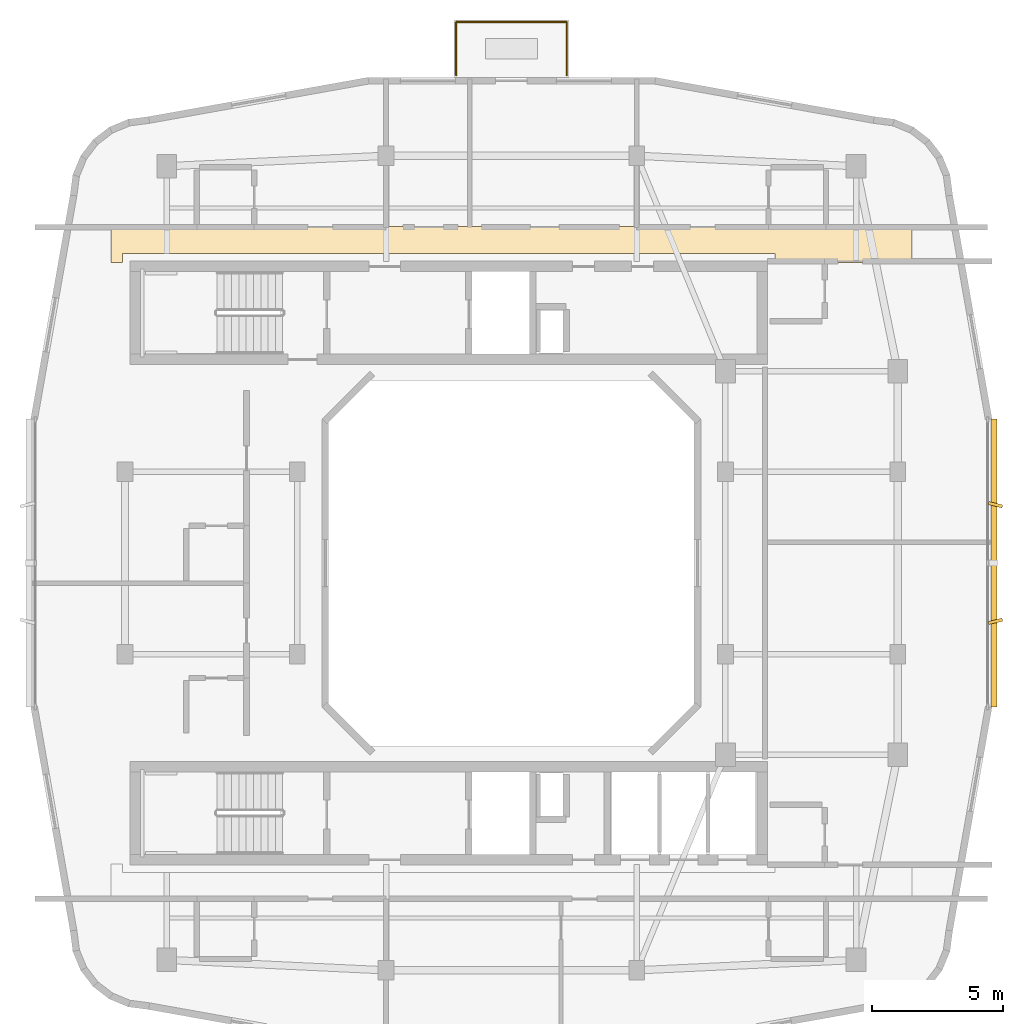
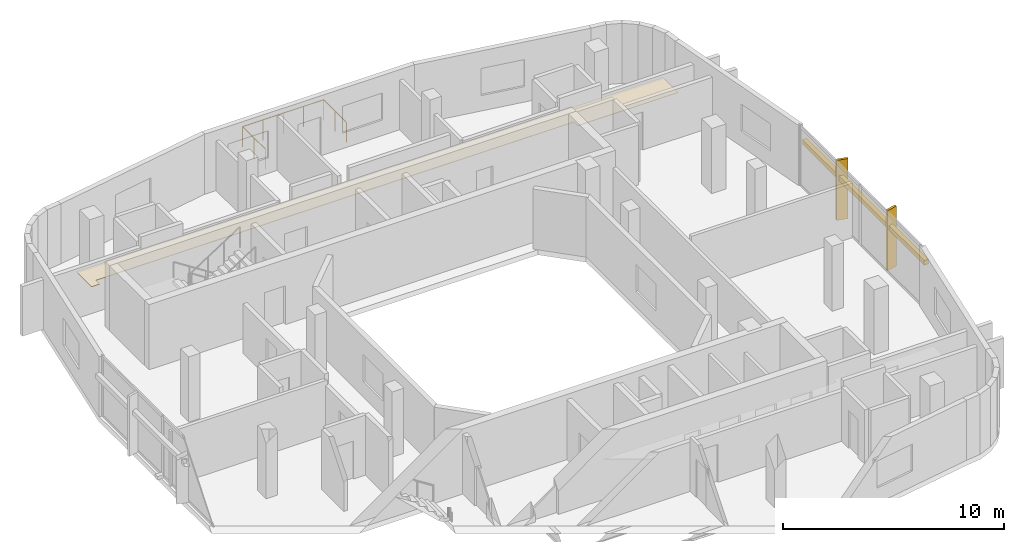
# One storey, part 10 of 10: 3 railings, 3 shading devices, 1 covering.
"""IFC4 building model written with IfcOpenShell, lengths in metres."""

from ifc_helpers import new_model, si_unit, derived_unit, direction, frame, origin, origin_2d, place, context, subcontext, project, spatial, polyline, rectangle, circle, outline, extrude, material, layer, layer_set, type_object, element, save


model = new_model("IFC4")

# Units and contexts
model_context = context("Model", 3, precision=1e-05, world=origin(), true_north=direction((0.0, 1.0)))
body_context = subcontext(model_context, "Body", "Model", "MODEL_VIEW")
ifc_project = project(units=[si_unit("LENGTHUNIT", "METRE"), si_unit("AREAUNIT", "SQUARE_METRE"), si_unit("VOLUMEUNIT", "CUBIC_METRE"), si_unit("PLANEANGLEUNIT", "RADIAN"), si_unit("MASSUNIT", "GRAM", prefix="KILO"), derived_unit("THERMALTRANSMITTANCEUNIT", [(si_unit("POWERUNIT", "WATT"), 1), (si_unit("LENGTHUNIT", "METRE"), -2), (si_unit("THERMODYNAMICTEMPERATUREUNIT", "KELVIN"), -1)])], contexts=[model_context])

# Site, building, storey
site_placement = place(None, origin())
site = spatial("IfcSite", under=ifc_project, at=site_placement, CompositionType="ELEMENT")
building_placement = place(site_placement, origin())
building = spatial("IfcBuilding", under=site, at=building_placement, Name="Kivonza Crest Hotel", CompositionType="ELEMENT")
storey_placement = place(building_placement, frame((0.0, 0.0, 243.199951171875)))
storey = spatial("IfcBuildingStorey", under=building, at=storey_placement, Name="L66", CompositionType="ELEMENT", Elevation=243.199951171875)

# Covering
ifc_material_1 = material(Name="Moisture-resistant gypsum plasterboard ceiling", Category="gypsum")
ifc_layer = layer(ifc_material_1, 0.030029296875)
ifc_layer_set = layer_set([ifc_layer], Name="Moisture-resistant gypsum plasterboard ceiling")
covering_type = type_object("IfcCoveringType", Name="CV-CEIL-GYP", PredefinedType="CEILING", material=ifc_layer_set)
covering_placement = place(storey_placement, frame((0.0, 0.0, 2.449951171875)))
element("IfcCovering", 1, at=covering_placement, inside=storey, type_object=covering_type, Name="L66 Hotel North Guest Corridor suspended ceiling", PredefinedType="CEILING", context=body_context, shape_type="SweptSolid", body=[
    extrude(outline(polyline([(36.340087890625, 36.52001953125), (36.340087890625, 37.89990234375), (5.659912109375, 37.89990234375), (5.659912109375, 36.52001953125), (6.10009765625, 36.52001953125), (6.10009765625, 36.860107421875), (31.10009765625, 36.860107421875), (31.10009765625, 36.52001953125), (36.340087890625, 36.52001953125)])), origin(), (0.0, 0.0, 1.0), 0.030029296875),
])

# Railings
ifc_material_2 = material(Name="Laminated glass and stainless steel balustrade", Category="steel")
railing_type = type_object("IfcRailingType", Name="RL-TERR-1150", PredefinedType="BALUSTRADE", material=ifc_material_2)
railing_1_placement = place(storey_placement, frame((18.8798828125, 43.679931640625, 0.0)))
element("IfcRailing", 2, at=railing_1_placement, inside=storey, type_object=railing_type, Name="L66 T1-L66-SG-NE perimeter safety balustrade 1", PredefinedType="BALUSTRADE", context=body_context, shape_type="SweptSolid", body=[
    extrude(circle(Radius=0.02392578125, at=origin_2d()), frame((0.0, 0.0, 1.1259765625), z_axis=(0.0, 1.0, 0.0), x_axis=(-1.0, 0.0, 0.0)), (0.0, 0.0, 1.0), 2.0400390625),
    extrude(circle(Radius=0.02099609375, at=origin_2d()), origin(), (0.0, 0.0, 1.0), 1.101806640625),
    extrude(circle(Radius=0.02099609375, at=origin_2d()), frame((0.0, 1.02001953125, 0.0)), (0.0, 0.0, 1.0), 1.101806640625),
    extrude(circle(Radius=0.02099609375, at=origin_2d()), frame((0.0, 2.0400390625, 0.0)), (0.0, 0.0, 1.0), 1.101806640625),
])
railing_2_placement = place(storey_placement, frame((18.8798828125, 45.719970703125, 0.0)))
element("IfcRailing", 3, at=railing_2_placement, inside=storey, type_object=railing_type, Name="L66 T1-L66-SG-NE perimeter safety balustrade 2", PredefinedType="BALUSTRADE", context=body_context, shape_type="SweptSolid", body=[
    extrude(circle(Radius=0.02392578125, at=origin_2d()), frame((0.0, 0.0, 1.1259765625), z_axis=(1.0, 0.0, 0.0), x_axis=(0.0, 1.0, 0.0)), (0.0, 0.0, 1.0), 4.240234375),
    extrude(circle(Radius=0.02099609375, at=origin_2d()), origin(), (0.0, 0.0, 1.0), 1.101806640625),
    extrude(circle(Radius=0.02099609375, at=origin_2d()), frame((1.06005859375, 0.0, 0.0)), (0.0, 0.0, 1.0), 1.101806640625),
    extrude(circle(Radius=0.02099609375, at=origin_2d()), frame((2.1201171875, 0.0, 0.0)), (0.0, 0.0, 1.0), 1.101806640625),
    extrude(circle(Radius=0.02099609375, at=origin_2d()), frame((3.18017578125, 0.0, 0.0)), (0.0, 0.0, 1.0), 1.101806640625),
    extrude(circle(Radius=0.02099609375, at=origin_2d()), frame((4.240234375, 0.0, 0.0)), (0.0, 0.0, 1.0), 1.101806640625),
])
railing_3_placement = place(storey_placement, frame((23.1201171875, 45.719970703125, 0.0)))
element("IfcRailing", 4, at=railing_3_placement, inside=storey, type_object=railing_type, Name="L66 T1-L66-SG-NE perimeter safety balustrade 3", PredefinedType="BALUSTRADE", context=body_context, shape_type="SweptSolid", body=[
    extrude(circle(Radius=0.02392578125, at=origin_2d()), frame((0.0, 0.0, 1.1259765625), z_axis=(0.0, -1.0, 0.0), x_axis=(1.0, 0.0, 0.0)), (0.0, 0.0, 1.0), 2.0400390625),
    extrude(circle(Radius=0.02099609375, at=origin_2d()), origin(), (0.0, 0.0, 1.0), 1.101806640625),
    extrude(circle(Radius=0.02099609375, at=origin_2d()), frame((0.0, -1.02001953125, 0.0)), (0.0, 0.0, 1.0), 1.101806640625),
    extrude(circle(Radius=0.02099609375, at=origin_2d()), frame((0.0, -2.0400390625, 0.0)), (0.0, 0.0, 1.0), 1.101806640625),
])

# Shading devices
ifc_material_3 = material(Name="Kiln-fired Nairobi red-ochre terracotta", Category="masonry")
shading_device_type_1 = type_object("IfcShadingDeviceType", Name="SH-BAGUETTE-300", PredefinedType="USERDEFINED", material=ifc_material_3)
shading_device_placement = place(storey_placement, frame((39.47998046875, 25.0, 2.19384765625), z_axis=(0.0, 0.0, 1.0), x_axis=(0.0, 1.0, 0.0)))
element("IfcShadingDevice", 5, at=shading_device_placement, inside=storey, type_object=shading_device_type_1, Name="L66 terracotta baguette screen CW-T1-L66-17", ObjectType="BAGUETTE", PredefinedType="USERDEFINED", context=body_context, shape_type="SweptSolid", body=[
    extrude(rectangle(XDim=11.0400390625, YDim=0.219970703125, at=origin_2d()), origin(), (0.0, 0.0, 1.0), 0.260009765625),
])
ifc_material_4 = material(Name="Kiln-fired terracotta over extruded aluminium spine", Category="masonry")
shading_device_type_2 = type_object("IfcShadingDeviceType", Name="SH-FIN-550", PredefinedType="USERDEFINED", material=ifc_material_4)
for number, where, z_axis, x_axis, name in (
    (6, (39.5400390625, 22.76806640625, 0.0), (0.0, 0.0, 1.0), (-0.2419218956, 0.970295726276, 0.0), "L66 vertical solar shading fin CW-T1-L66-17-1"),
    (7, (39.5400390625, 27.23193359375, 0.0), (0.0, 0.0, 1.0), (0.2419218956, 0.970295726276, 0.0), "L66 vertical solar shading fin CW-T1-L66-17-2"),
):
    element("IfcShadingDevice", number, at=place(storey_placement, frame(where, z_axis=z_axis, x_axis=x_axis)), inside=storey, type_object=shading_device_type_2, Name=name, ObjectType="FIN", PredefinedType="USERDEFINED", context=body_context, shape_type="SweptSolid", body=[
        extrude(rectangle(XDim=0.1201171875, YDim=0.550048828125, at=origin_2d()), origin(), (0.0, 0.0, 1.0), 3.320068359375),
    ])

save(model, "model.ifc")
